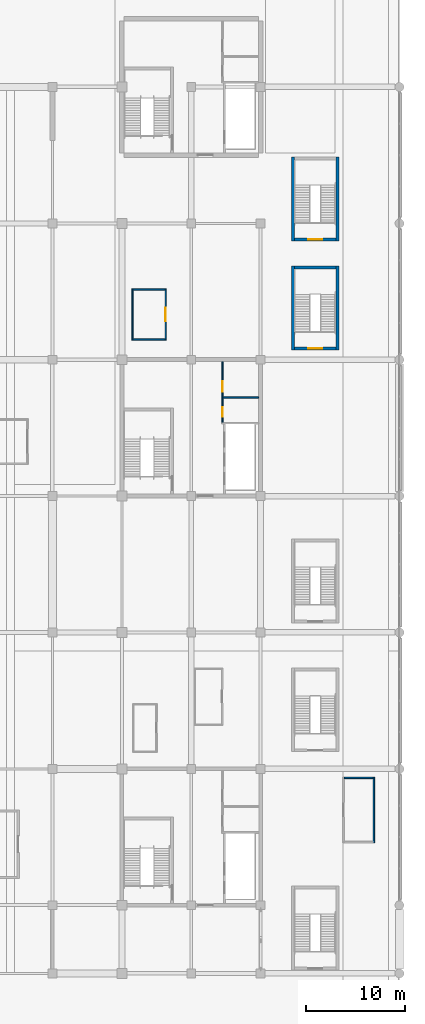
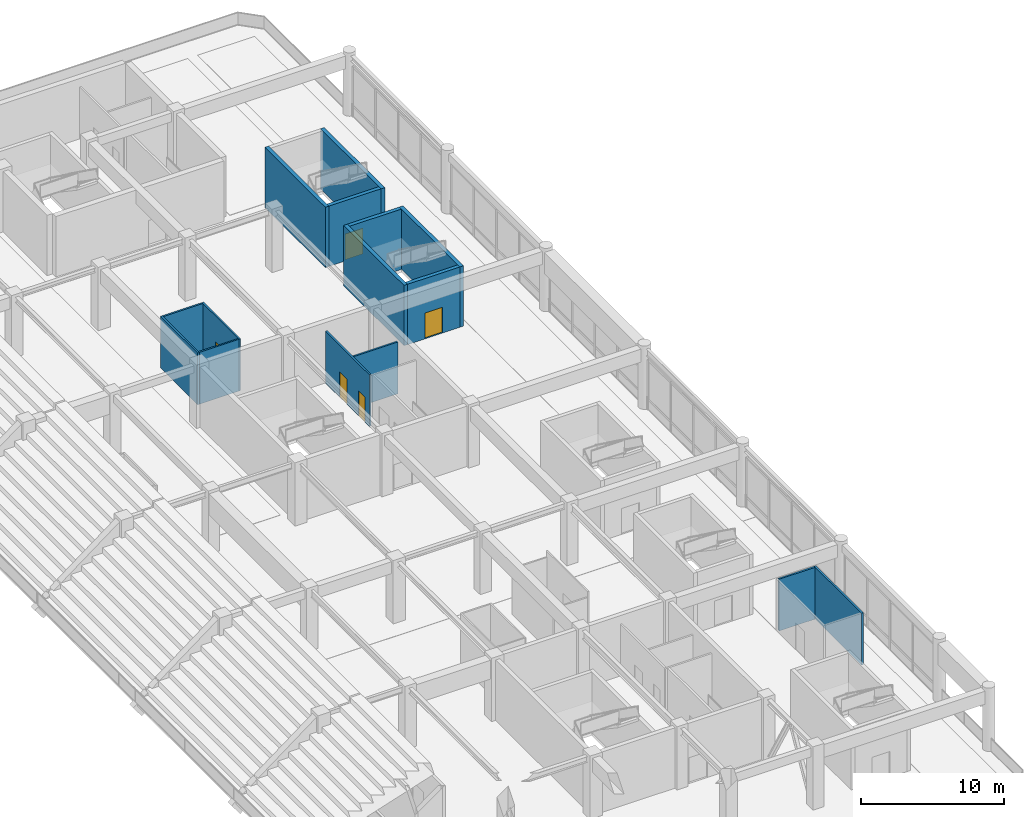
# One storey, part 94 of 117: 15 walls, 5 doors, 5 openings.
"""IFC4 building model written with IfcOpenShell, lengths in metres."""

from ifc_helpers import new_model, si_unit, direction, frame, frame_2d, origin, place, context, subcontext, project, spatial, rectangle, extrude, material, layer, layer_set, type_object, element, fill, save


model = new_model("IFC4")

# Units and contexts
model_context = context("Model", 3, precision=1e-05, world=origin(), true_north=direction((0.0, 1.0)))
body_context = subcontext(model_context, "Body", "Model", "MODEL_VIEW")
ifc_project = project(units=[si_unit("LENGTHUNIT", "METRE"), si_unit("AREAUNIT", "SQUARE_METRE"), si_unit("VOLUMEUNIT", "CUBIC_METRE"), si_unit("PLANEANGLEUNIT", "RADIAN"), si_unit("MASSUNIT", "GRAM", prefix="KILO")], contexts=[model_context])

# Site, building, storey
site_placement = place(None, origin())
site = spatial("IfcSite", under=ifc_project, at=site_placement, CompositionType="ELEMENT")
building_placement = place(site_placement, origin())
building = spatial("IfcBuilding", under=site, at=building_placement, Name="Linyun Crest Stadium", CompositionType="ELEMENT")
storey_placement = place(building_placement, frame((0.0, 0.0, 6.0)))
storey = spatial("IfcBuildingStorey", under=building, at=storey_placement, Name="L02", CompositionType="ELEMENT", Elevation=6.0)

# Walls
ifc_material_1 = material(Name="Steel-stud gypsum corridor fire partition", Category="steel")
ifc_layer_1 = layer(ifc_material_1, 0.14990234375)
ifc_layer_set_1 = layer_set([ifc_layer_1], Name="Steel-stud gypsum corridor fire partition")
wall_type_1 = type_object("IfcWallType", Name="PW14", PredefinedType="PARTITIONING", material=ifc_layer_set_1)
wall_1_placement = place(storey_placement, frame((95.4140625, -32.8369140625, 0.0), z_axis=(0.0, 0.0, 1.0), x_axis=(0.0, 1.0, 0.0)))
element("IfcWall", 1, at=wall_1_placement, inside=storey, type_object=wall_type_1, Name="Enclosure partition PW14 L02 277", PredefinedType="PARTITIONING", context=body_context, shape_type="SweptSolid", body=[
    extrude(rectangle(XDim=6.6298828125, YDim=0.14990234375, at=frame_2d((3.31494140625, 0.0))), origin(), (0.0, 0.0, 1.0), 4.419921875),
])
wall_2_placement = place(storey_placement, frame((92.428955078125, -26.281982421875, 0.0), z_axis=(0.0, 0.0, 1.0), x_axis=(1.0, 0.0, 0.0)))
element("IfcWall", 2, at=wall_2_placement, inside=storey, type_object=wall_type_1, Name="Enclosure partition PW14 L02 279", PredefinedType="PARTITIONING", context=body_context, shape_type="SweptSolid", body=[
    extrude(rectangle(XDim=2.91015625, YDim=0.14990234375, at=frame_2d((1.455078125, 0.0))), origin(), (0.0, 0.0, 1.0), 4.419921875),
])

# Wall, openings, doors
ifc_material_2 = material(Name="Moisture-resistant ceramic-tiled wet-room wall")
ifc_layer_2 = layer(ifc_material_2, 0.139892578125)
ifc_layer_set_2 = layer_set([ifc_layer_2], Name="Moisture-resistant ceramic-tiled wet-room wall")
wall_type_2 = type_object("IfcWallType", Name="PW15", PredefinedType="PARTITIONING", material=ifc_layer_set_2)
wall_3_placement = place(storey_placement, frame((80.14990234375, 9.544921875, 0.0), z_axis=(0.0, 0.0, 1.0), x_axis=(0.0, 1.0, 0.0)))
wall_3 = element("IfcWall", 3, at=wall_3_placement, inside=storey, type_object=wall_type_2, Name="Partition PW15 L02 74", PredefinedType="PARTITIONING", context=body_context, shape_type="SweptSolid", body=[
    extrude(rectangle(XDim=6.130126953125, YDim=0.139892578125, at=frame_2d((3.06494140625, 0.0))), origin(), (0.0, 0.0, 1.0), 4.419921875),
])
opening_1_placement = place(wall_3_placement, frame((0.580078125, 0.0, 0.0)))
opening_1 = element("IfcOpeningElement", 4, at=opening_1_placement, cuts=wall_3, Name="Opening D-L02-203", PredefinedType="OPENING", context=body_context, shape_type="SweptSolid", body=[
    extrude(rectangle(XDim=0.949951171875, YDim=2.14990234375, at=frame_2d((0.47509765625, 1.074951171875))), frame((0.0, 0.079833984375, 0.0), z_axis=(0.0, -1.0, 0.0), x_axis=(1.0, 0.0, 0.0)), (0.0, 0.0, 1.0), 0.159912109375),
])
opening_2_placement = place(wall_3_placement, frame((3.080078125, 0.0, 0.0)))
opening_2 = element("IfcOpeningElement", 5, at=opening_2_placement, cuts=wall_3, Name="Opening D-L02-204", PredefinedType="OPENING", context=body_context, shape_type="SweptSolid", body=[
    extrude(rectangle(XDim=1.10009765625, YDim=2.14990234375, at=frame_2d((0.550048828125, 1.074951171875))), frame((0.0, 0.079833984375, 0.0), z_axis=(0.0, -1.0, 0.0), x_axis=(1.0, 0.0, 0.0)), (0.0, 0.0, 1.0), 0.159912109375),
])
ifc_material_3 = material(Name="Moisture-resistant laminate leaf")
ifc_layer_3 = layer(ifc_material_3, 0.044921875)
ifc_layer_set_3 = layer_set([ifc_layer_3], Name="Moisture-resistant laminate leaf")
door_type_1 = type_object("IfcDoorType", Name="ID02", OperationType="NOTDEFINED", PredefinedType="DOOR", material=ifc_layer_set_3)
door_1_placement = place(opening_1_placement, origin())
door_1 = element("IfcDoor", 6, at=door_1_placement, inside=storey, type_object=door_type_1, Name="Door D-L02-203", OperationType="SINGLE_SWING_LEFT", OverallHeight=2.14990234375, OverallWidth=0.949951171875, PredefinedType="DOOR", context=body_context, shape_type="SweptSolid", body=[
    extrude(rectangle(XDim=0.949951171875, YDim=2.14990234375, at=frame_2d((0.47509765625, 1.074951171875))), frame((0.0, 0.02490234375, 0.0), z_axis=(0.0, -1.0, 0.0), x_axis=(1.0, 0.0, 0.0)), (0.0, 0.0, 1.0), 0.050048828125),
])
fill(opening_1, door_1)
ifc_material_4 = material(Name="Moisture-resistant laminate leaf")
ifc_layer_4 = layer(ifc_material_4, 0.044921875)
ifc_layer_set_4 = layer_set([ifc_layer_4], Name="Moisture-resistant laminate leaf")
door_type_2 = type_object("IfcDoorType", Name="ID03", OperationType="NOTDEFINED", PredefinedType="DOOR", material=ifc_layer_set_4)
door_2_placement = place(opening_2_placement, origin())
door_2 = element("IfcDoor", 7, at=door_2_placement, inside=storey, type_object=door_type_2, Name="Door D-L02-204", OperationType="SINGLE_SWING_RIGHT", OverallHeight=2.14990234375, OverallWidth=1.10009765625, PredefinedType="DOOR", context=body_context, shape_type="SweptSolid", body=[
    extrude(rectangle(XDim=1.10009765625, YDim=2.14990234375, at=frame_2d((0.550048828125, 1.074951171875))), frame((0.0, 0.02490234375, 0.0), z_axis=(0.0, -1.0, 0.0), x_axis=(1.0, 0.0, 0.0)), (0.0, 0.0, 1.0), 0.050048828125),
])
fill(opening_2, door_2)

# Wall
wall_4_placement = place(storey_placement, frame((80.219970703125, 12.074951171875, 0.0), z_axis=(0.0, 0.0, 1.0), x_axis=(1.0, 0.0, 0.0)))
element("IfcWall", 8, at=wall_4_placement, inside=storey, type_object=wall_type_2, Name="Enclosure partition PW15 L02 60", PredefinedType="PARTITIONING", context=body_context, shape_type="SweptSolid", body=[
    extrude(rectangle(XDim=3.580078125, YDim=0.139892578125, at=frame_2d((1.7900390625, 0.0))), origin(), (0.0, 0.0, 1.0), 4.419921875),
])

# Wall, opening, door
ifc_material_5 = material(Name="Impact-resistant community sports hall lining")
ifc_layer_5 = layer(ifc_material_5, 0.135009765625)
ifc_layer_set_5 = layer_set([ifc_layer_5], Name="Impact-resistant community sports hall lining")
wall_type_3 = type_object("IfcWallType", Name="PW19", PredefinedType="PARTITIONING", material=ifc_layer_set_5)
wall_5_placement = place(storey_placement, frame((74.4208984375, 23.013916015625, 0.0), z_axis=(0.0, 0.0, 1.0), x_axis=(0.0, -1.0, 0.0)))
wall_5 = element("IfcWall", 9, at=wall_5_placement, inside=storey, type_object=wall_type_3, Name="Partition PW19 L02 191", PredefinedType="PARTITIONING", context=body_context, shape_type="SweptSolid", body=[
    extrude(rectangle(XDim=5.179931640625, YDim=0.135009765625, at=frame_2d((2.58984375, 0.0))), origin(), (0.0, 0.0, 1.0), 4.419921875),
])
opening_3_placement = place(wall_5_placement, frame((1.9150390625, 0.0, 0.0)))
opening_3 = element("IfcOpeningElement", 10, at=opening_3_placement, cuts=wall_5, Name="Opening D-L02-454", PredefinedType="OPENING", context=body_context, shape_type="SweptSolid", body=[
    extrude(rectangle(XDim=1.35009765625, YDim=2.199951171875, at=frame_2d((0.675048828125, 1.10009765625))), frame((0.0, 0.077392578125, 0.0), z_axis=(0.0, -1.0, 0.0), x_axis=(1.0, 0.0, 0.0)), (0.0, 0.0, 1.0), 0.155029296875),
])
ifc_material_6 = material(Name="Wide hospital-grade hygienic door")
ifc_layer_6 = layer(ifc_material_6, 0.050048828125)
ifc_layer_set_6 = layer_set([ifc_layer_6], Name="Wide hospital-grade hygienic door")
door_type_3 = type_object("IfcDoorType", Name="ID12", OperationType="NOTDEFINED", PredefinedType="DOOR", material=ifc_layer_set_6)
door_3_placement = place(opening_3_placement, origin())
door_3 = element("IfcDoor", 11, at=door_3_placement, inside=storey, type_object=door_type_3, Name="Door D-L02-454", OperationType="SINGLE_SWING_RIGHT", OverallHeight=2.199951171875, OverallWidth=1.35009765625, PredefinedType="DOOR", context=body_context, shape_type="SweptSolid", body=[
    extrude(rectangle(XDim=1.35009765625, YDim=2.199951171875, at=frame_2d((0.675048828125, 1.10009765625))), frame((0.0, 0.02490234375, 0.0), z_axis=(0.0, -1.0, 0.0), x_axis=(1.0, 0.0, 0.0)), (0.0, 0.0, 1.0), 0.050048828125),
])
fill(opening_3, door_3)

# Walls
wall_6_placement = place(storey_placement, frame((71.0810546875, 17.833984375, 0.0), z_axis=(0.0, 0.0, 1.0), x_axis=(0.0, 1.0, 0.0)))
element("IfcWall", 12, at=wall_6_placement, inside=storey, type_object=wall_type_3, Name="Enclosure partition PW19 L02 289", PredefinedType="PARTITIONING", context=body_context, shape_type="SweptSolid", body=[
    extrude(rectangle(XDim=5.179931640625, YDim=0.135009765625, at=frame_2d((2.58984375, 0.0))), origin(), (0.0, 0.0, 1.0), 4.419921875),
])
for number, where, z_axis, x_axis, name in (
    (13, (71.14892578125, 17.902099609375, 0.0), (0.0, 0.0, 1.0), (1.0, 0.0, 0.0), "Enclosure partition PW19 L02 290"),
    (14, (71.14892578125, 22.946044921875, 0.0), (0.0, 0.0, 1.0), (1.0, 0.0, 0.0), "Enclosure partition PW19 L02 291"),
):
    element("IfcWall", number, at=place(storey_placement, frame(where, z_axis=z_axis, x_axis=x_axis)), inside=storey, type_object=wall_type_3, Name=name, PredefinedType="PARTITIONING", context=body_context, shape_type="SweptSolid", body=[
        extrude(rectangle(XDim=3.2041015625, YDim=0.135009765625, at=frame_2d((1.60205078125, 0.0))), origin(), (0.0, 0.0, 1.0), 4.419921875),
    ])

# Wall, opening, door
ifc_material_7 = material(Name="Concrete C50", Category="concrete")
ifc_layer_7 = layer(ifc_material_7, 0.300048828125)
ifc_layer_set_7 = layer_set([ifc_layer_7], Name="Concrete C50")
wall_type_4 = type_object("IfcWallType", Name="SW01", PredefinedType="SHEAR", material=ifc_layer_set_7)
wall_7_placement = place(storey_placement, frame((87.39990234375, 17.0, 0.0), z_axis=(0.0, 0.0, 1.0), x_axis=(1.0, 0.0, 0.0)))
wall_7 = element("IfcWall", 15, at=wall_7_placement, inside=storey, type_object=wall_type_4, Name="Stair shaft wall SW01 STR-21 L02 S", PredefinedType="SHEAR", context=body_context, shape_type="SweptSolid", body=[
    extrude(rectangle(XDim=4.2001953125, YDim=0.300048828125, at=frame_2d((2.10009765625, 0.0))), origin(), (0.0, 0.0, 1.0), 5.14990234375),
])
opening_4_placement = place(wall_7_placement, frame((1.375, 0.0, 0.0)))
opening_4 = element("IfcOpeningElement", 16, at=opening_4_placement, cuts=wall_7, Name="Opening D-L02-585", PredefinedType="OPENING", context=body_context, shape_type="SweptSolid", body=[
    extrude(rectangle(XDim=1.449951171875, YDim=2.199951171875, at=frame_2d((0.72509765625, 1.10009765625))), frame((0.0, 0.159912109375, 0.0), z_axis=(0.0, -1.0, 0.0), x_axis=(1.0, 0.0, 0.0)), (0.0, 0.0, 1.0), 0.320068359375),
])
ifc_material_8 = material(Name="Galvanized steel Class A fire door", Category="steel")
ifc_layer_8 = layer(ifc_material_8, 0.054931640625)
ifc_layer_set_8 = layer_set([ifc_layer_8], Name="Galvanized steel Class A fire door")
door_type_4 = type_object("IfcDoorType", Name="FD02", OperationType="NOTDEFINED", PredefinedType="DOOR", material=ifc_layer_set_8)
door_4_placement = place(opening_4_placement, origin())
door_4 = element("IfcDoor", 17, at=door_4_placement, inside=storey, type_object=door_type_4, Name="Door D-L02-585", OperationType="SINGLE_SWING_LEFT", OverallHeight=2.199951171875, OverallWidth=1.449951171875, PredefinedType="DOOR", context=body_context, shape_type="SweptSolid", body=[
    extrude(rectangle(XDim=1.449951171875, YDim=2.199951171875, at=frame_2d((0.72509765625, 1.10009765625))), frame((0.0, 0.02490234375, 0.0), z_axis=(0.0, -1.0, 0.0), x_axis=(1.0, 0.0, 0.0)), (0.0, 0.0, 1.0), 0.050048828125),
])
fill(opening_4, door_4)

# Walls
wall_8_placement = place(storey_placement, frame((87.39990234375, 25.14990234375, 0.0), z_axis=(0.0, 0.0, 1.0), x_axis=(1.0, 0.0, 0.0)))
element("IfcWall", 18, at=wall_8_placement, inside=storey, type_object=wall_type_4, Name="Stair shaft wall SW01 STR-21 L02 N", PredefinedType="SHEAR", context=body_context, shape_type="SweptSolid", body=[
    extrude(rectangle(XDim=4.2001953125, YDim=0.300048828125, at=frame_2d((2.10009765625, 0.0))), origin(), (0.0, 0.0, 1.0), 5.14990234375),
])
for number, where, z_axis, x_axis, name in (
    (19, (87.25, 16.85009765625, 0.0), (0.0, 0.0, 1.0), (0.0, 1.0, 0.0), "Stair shaft wall SW01 STR-21 L02 W"),
    (20, (91.75, 16.85009765625, 0.0), (0.0, 0.0, 1.0), (0.0, 1.0, 0.0), "Stair shaft wall SW01 STR-21 L02 E"),
):
    element("IfcWall", number, at=place(storey_placement, frame(where, z_axis=z_axis, x_axis=x_axis)), inside=storey, type_object=wall_type_4, Name=name, PredefinedType="SHEAR", context=body_context, shape_type="SweptSolid", body=[
        extrude(rectangle(XDim=8.449951171875, YDim=0.300048828125, at=frame_2d((4.22509765625, 0.0))), origin(), (0.0, 0.0, 1.0), 5.14990234375),
    ])

# Wall, opening, door
wall_9_placement = place(storey_placement, frame((87.39990234375, 28.0, 0.0), z_axis=(0.0, 0.0, 1.0), x_axis=(1.0, 0.0, 0.0)))
wall_9 = element("IfcWall", 21, at=wall_9_placement, inside=storey, type_object=wall_type_4, Name="Stair shaft wall SW01 STR-22 L02 S", PredefinedType="SHEAR", context=body_context, shape_type="SweptSolid", body=[
    extrude(rectangle(XDim=4.2001953125, YDim=0.300048828125, at=frame_2d((2.10009765625, 0.0))), origin(), (0.0, 0.0, 1.0), 5.14990234375),
])
opening_5_placement = place(wall_9_placement, frame((1.375, 0.0, 0.0)))
opening_5 = element("IfcOpeningElement", 22, at=opening_5_placement, cuts=wall_9, Name="Opening D-L02-590", PredefinedType="OPENING", context=body_context, shape_type="SweptSolid", body=[
    extrude(rectangle(XDim=1.449951171875, YDim=2.199951171875, at=frame_2d((0.72509765625, 1.10009765625))), frame((0.0, 0.159912109375, 0.0), z_axis=(0.0, -1.0, 0.0), x_axis=(1.0, 0.0, 0.0)), (0.0, 0.0, 1.0), 0.320068359375),
])
door_5_placement = place(opening_5_placement, origin())
door_5 = element("IfcDoor", 23, at=door_5_placement, inside=storey, type_object=door_type_4, Name="Door D-L02-590", OperationType="SINGLE_SWING_RIGHT", OverallHeight=2.199951171875, OverallWidth=1.449951171875, PredefinedType="DOOR", context=body_context, shape_type="SweptSolid", body=[
    extrude(rectangle(XDim=1.449951171875, YDim=2.199951171875, at=frame_2d((0.72509765625, 1.10009765625))), frame((0.0, 0.02490234375, 0.0), z_axis=(0.0, -1.0, 0.0), x_axis=(1.0, 0.0, 0.0)), (0.0, 0.0, 1.0), 0.050048828125),
])
fill(opening_5, door_5)

# Walls
for number, where, z_axis, x_axis, name in (
    (24, (87.25, 27.85009765625, 0.0), (0.0, 0.0, 1.0), (0.0, 1.0, 0.0), "Stair shaft wall SW01 STR-22 L02 W"),
    (25, (91.75, 27.85009765625, 0.0), (0.0, 0.0, 1.0), (0.0, 1.0, 0.0), "Stair shaft wall SW01 STR-22 L02 E"),
):
    element("IfcWall", number, at=place(storey_placement, frame(where, z_axis=z_axis, x_axis=x_axis)), inside=storey, type_object=wall_type_4, Name=name, PredefinedType="SHEAR", context=body_context, shape_type="SweptSolid", body=[
        extrude(rectangle(XDim=8.449951171875, YDim=0.300048828125, at=frame_2d((4.22509765625, 0.0))), origin(), (0.0, 0.0, 1.0), 5.14990234375),
    ])

save(model, "model.ifc")
